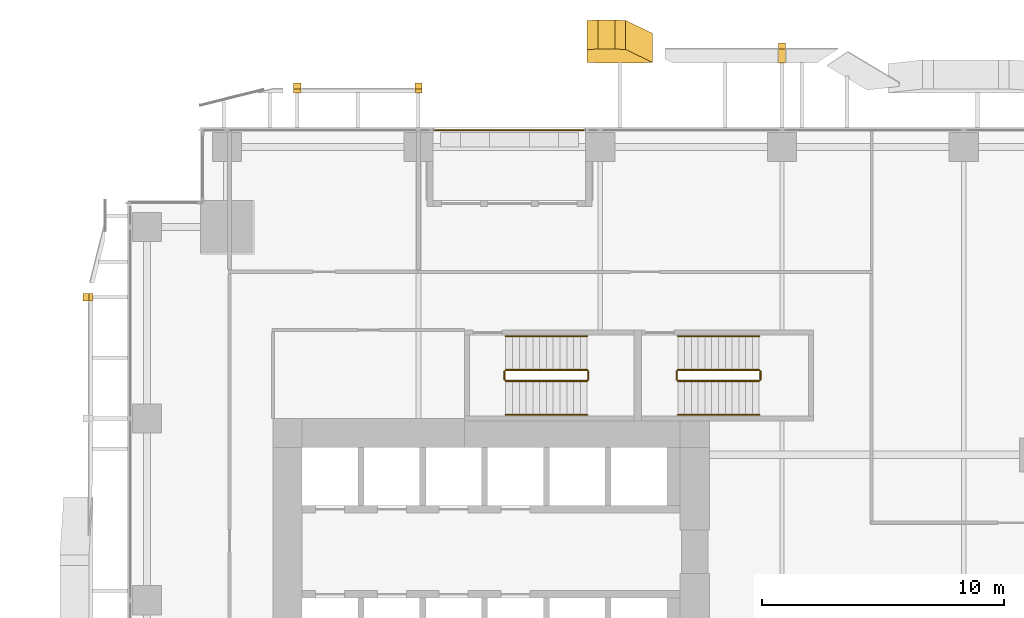
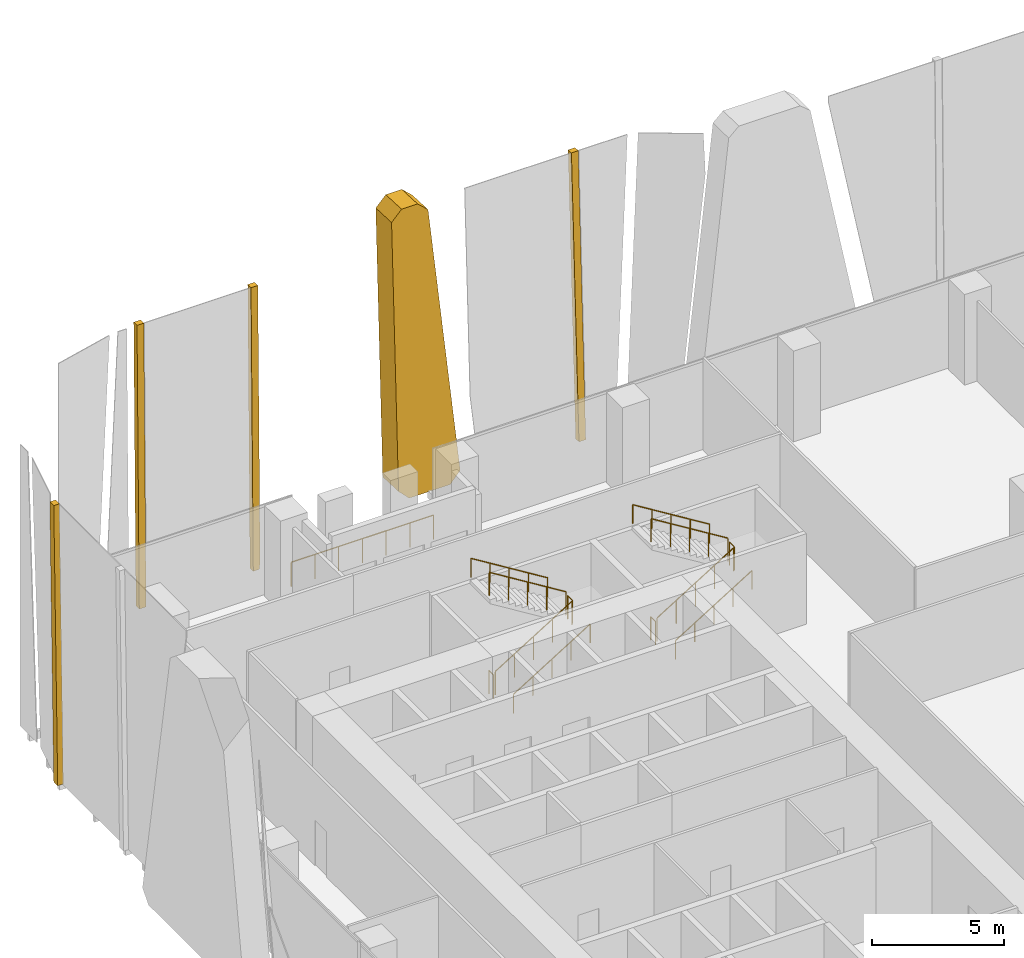
# One storey, part 32 of 34: 13 railings, 5 coverings.
"""IFC4 building model written with IfcOpenShell, lengths in metres."""

from ifc_helpers import new_model, si_unit, direction, frame, origin, origin_2d, place, context, subcontext, project, spatial, polyline, circle, outline, extrude, source, transform, mapped, material, layer, layer_set, type_object, element, save


model = new_model("IFC4")

# Units and contexts
model_context = context("Model", 3, precision=1e-05, world=origin(), true_north=direction((0.0, 1.0)))
body_context = subcontext(model_context, "Body", "Model", "MODEL_VIEW")
ifc_project = project(units=[si_unit("LENGTHUNIT", "METRE"), si_unit("AREAUNIT", "SQUARE_METRE"), si_unit("VOLUMEUNIT", "CUBIC_METRE"), si_unit("PLANEANGLEUNIT", "RADIAN"), si_unit("MASSUNIT", "GRAM", prefix="KILO")], contexts=[model_context])

# Site, building, storey
site_placement = place(None, origin())
site = spatial("IfcSite", under=ifc_project, at=site_placement, CompositionType="ELEMENT")
building_placement = place(site_placement, origin())
building = spatial("IfcBuilding", under=site, at=building_placement, Name="Khomas Fold Tower", CompositionType="ELEMENT")
storey_placement = place(building_placement, frame((0.0, 0.0, 73.5)))
storey = spatial("IfcBuildingStorey", under=building, at=storey_placement, Name="L15", CompositionType="ELEMENT", Elevation=73.5)

# Coverings
ifc_material_1 = material(Name="Natural stone cladding", Category="masonry")
ifc_layer_1 = layer(ifc_material_1, 0.25)
ifc_layer_set_1 = layer_set([ifc_layer_1], Name="Natural stone cladding")
covering_type_1 = type_object("IfcCoveringType", Name="SK-Karibib marble stone mullion", PredefinedType="CLADDING", material=ifc_layer_set_1)
covering_1_placement = place(storey_placement, frame((6.85009765625, 55.43212890625, 0.0), z_axis=(0.0, -0.999913772879, 0.013131900334), x_axis=(0.0, 0.013131900334, 0.999913772879)))
element("IfcCovering", 1, at=covering_1_placement, inside=storey, type_object=covering_type_1, Name="OUTER SKIN mullion L15 NM099-3", PredefinedType="CLADDING", context=body_context, shape_type="SweptSolid", body=[
    extrude(outline(polyline([(0.0, 0.0), (13.051174193298111, 0.0), (13.051174193298111, -0.29980468749999994), (0.0, -0.29980468749999994), (0.0, 0.0)])), origin(), (0.0, 0.0, -1.0), 0.25),
])
covering_2_placement = place(storey_placement, frame((12.107666015625, 55.43212890625, 0.0), z_axis=(-5.1937975e-05, -0.999913769323, 0.013132068384), x_axis=(-0.999999998651, 5.1933496e-05, -6.82053e-07)))
element("IfcCovering", 2, at=covering_2_placement, inside=storey, type_object=covering_type_1, Name="OUTER SKIN mullion L15 NM100-5", PredefinedType="CLADDING", context=body_context, shape_type="SweptSolid", body=[
    extrude(outline(polyline([(0.0, 0.0), (0.25756835902759784, 0.0), (0.2575683589136631, -13.051174193297927), (-0.042236328181967375, -13.051174193297927), (-0.042236329685510846, -0.2998301326854592), (0.0, 0.0)])), origin(), (0.0, 0.0, -1.0), 0.25),
])
covering_3_placement = place(storey_placement, frame((27.14990234375, 57.245361328125, 13.050048828125), z_axis=(0.0, -0.99904235518, 0.043753543365), x_axis=(0.0, -0.043753543365, -0.99904235518)))
element("IfcCovering", 3, at=covering_3_placement, inside=storey, type_object=covering_type_1, Name="OUTER SKIN mullion L15 NM103-7", PredefinedType="CLADDING", context=body_context, shape_type="SweptSolid", body=[
    extrude(outline(polyline([(0.0, 0.0), (13.062558119247587, 0.0), (13.062558119247587, -0.2998046875), (0.0, -0.2998046875), (0.0, 0.0)])), origin(), (0.0, 0.0, -1.0), 0.25),
])
covering_4_placement = place(storey_placement, frame((-1.43212890625, 46.85009765625, 0.0), z_axis=(0.999913772879, 0.0, 0.013131900334), x_axis=(-0.013131900334, 0.0, 0.999913772879)))
element("IfcCovering", 4, at=covering_4_placement, inside=storey, type_object=covering_type_1, Name="OUTER SKIN mullion L15 WM107-14", PredefinedType="CLADDING", context=body_context, shape_type="SweptSolid", body=[
    extrude(outline(polyline([(0.0, 0.0), (13.051174193298111, 0.0), (13.051174193298111, -0.29980468749999994), (0.0, -0.29980468749999994), (0.0, 0.0)])), origin(), (0.0, 0.0, -1.0), 0.25),
])
ifc_material_2 = material(Name="Natural stone cladding", Category="masonry")
ifc_layer_2 = layer(ifc_material_2, 1.199951171875)
ifc_layer_set_2 = layer_set([ifc_layer_2], Name="Natural stone cladding")
covering_type_2 = type_object("IfcCoveringType", Name="SK-Karibib marble stone panel", PredefinedType="CLADDING", material=ifc_layer_set_2)
covering_5_placement = place(storey_placement, frame((18.949951171875, 56.693359375, 0.449951171875), z_axis=(2.3155822e-05, -0.999042486945, 0.043750528473), x_axis=(2.7e-10, 0.043750528485, 0.999042487213)))
element("IfcCovering", 5, at=covering_5_placement, inside=storey, type_object=covering_type_2, Name="OUTER SKIN leaf L15 NS05-1", PredefinedType="CLADDING", context=body_context, shape_type="SweptSolid", body=[
    extrude(outline(polyline([(0.0, 0.0), (12.161797757138737, 1.6940658945086007e-21), (12.612183278925432, -0.4499511732736078), (12.612183279114758, -1.1520996105853647), (12.202361064839915, -1.6000976542877101), (0.040817896137457156, -2.7041015656421923), (-0.45037483977573073, -2.255859378523836), (-0.45037484026267505, -0.44995117588299277), (0.0, 0.0)])), origin(), (0.0, 0.0, -1.0), 1.199951171875),
])

# Railings
ifc_material_3 = material(Name="Powder-coated steel", Category="steel")
railing_type_1 = type_object("IfcRailingType", Name="Balcony guard", PredefinedType="GUARDRAIL", material=ifc_material_3)
shared_shape_1 = source(origin(), body_context, "Body", "SweptSolid", [
    extrude(circle(Radius=0.02490234375, at=origin_2d()), frame((0.0, 0.0, 1.125), z_axis=(1.0, 0.0, 0.0), x_axis=(0.0, 1.0, 0.0)), (0.0, 0.0, 1.0), 6.240234375),
    extrude(circle(Radius=0.02001953125, at=origin_2d()), origin(), (0.0, 0.0, 1.0), 1.099853515625),
    extrude(circle(Radius=0.02001953125, at=origin_2d()), frame((1.0400390625, 0.0, 0.0)), (0.0, 0.0, 1.0), 1.099853515625),
    extrude(circle(Radius=0.02001953125, at=origin_2d()), frame((2.080078125, 0.0, 0.0)), (0.0, 0.0, 1.0), 1.099853515625),
    extrude(circle(Radius=0.02001953125, at=origin_2d()), frame((3.1201171875, 0.0, 0.0)), (0.0, 0.0, 1.0), 1.099853515625),
    extrude(circle(Radius=0.02001953125, at=origin_2d()), frame((4.16015625, 0.0, 0.0)), (0.0, 0.0, 1.0), 1.099853515625),
    extrude(circle(Radius=0.02001953125, at=origin_2d()), frame((5.2001953125, 0.0, 0.0)), (0.0, 0.0, 1.0), 1.099853515625),
    extrude(circle(Radius=0.02001953125, at=origin_2d()), frame((6.240234375, 0.0, 0.0)), (0.0, 0.0, 1.0), 1.099853515625),
])
railing_1_placement = place(storey_placement, frame((12.6298828125, 53.89990234375, -0.044921875)))
element("IfcRailing", 6, at=railing_1_placement, inside=storey, type_object=railing_type_1, Name="Balcony guard BAL-L15-N1", PredefinedType="GUARDRAIL", context=body_context, shape_type="MappedRepresentation", body=[
    mapped(shared_shape_1, transform((0.0, 0.0, 0.0))),
])
ifc_material_4 = material(Name="Steel balustrade", Category="steel")
railing_type_2 = type_object("IfcRailingType", Name="Stair guard", PredefinedType="GUARDRAIL", material=ifc_material_4)
shared_shape_2 = source(origin(), body_context, "Body", "SweptSolid", [
    extrude(circle(Radius=0.02392578125, at=origin_2d()), frame((0.0, 0.0, 1.076171875), z_axis=(0.850606129759, 0.0, 0.525803396734), x_axis=(0.0, 1.0, 0.0)), (0.0, 0.0, 1.0), 3.949951171875),
    extrude(circle(Radius=0.02099609375, at=origin_2d()), origin(), (0.0, 0.0, 1.0), 1.052001953125),
    extrude(circle(Radius=0.02099609375, at=origin_2d()), frame((0.83984375, 0.0, 0.519287109375)), (0.0, 0.0, 1.0), 1.052001953125),
    extrude(circle(Radius=0.02099609375, at=origin_2d()), frame((1.679931640625, 0.0, 1.03857421875)), (0.0, 0.0, 1.0), 1.052001953125),
    extrude(circle(Radius=0.02099609375, at=origin_2d()), frame((2.52001953125, 0.0, 1.5576171875)), (0.0, 0.0, 1.0), 1.052001953125),
    extrude(circle(Radius=0.02099609375, at=origin_2d()), frame((3.35986328125, 0.0, 2.076904296875)), (0.0, 0.0, 1.0), 1.052001953125),
])
railing_2_placement = place(storey_placement, frame((15.60009765625, 43.550048828125, 0.173095703125)))
element("IfcRailing", 7, at=railing_2_placement, inside=storey, type_object=railing_type_2, Name="L15 ST1 stair guard 1", PredefinedType="GUARDRAIL", context=body_context, shape_type="MappedRepresentation", body=[
    mapped(shared_shape_2, transform((0.0, 0.0, 0.0))),
])
shared_shape_3 = source(origin(), body_context, "Body", "SweptSolid", [
    extrude(circle(Radius=0.02392578125, at=origin_2d()), frame((0.0, 0.0, 1.076171875), z_axis=(0.0, 1.0, 0.0), x_axis=(-1.0, 0.0, 0.0)), (0.0, 0.0, 1.0), 0.349853515625),
    extrude(circle(Radius=0.02099609375, at=origin_2d()), origin(), (0.0, 0.0, 1.0), 1.052001953125),
    extrude(circle(Radius=0.02099609375, at=origin_2d()), frame((0.0, 0.349853515625, 0.0)), (0.0, 0.0, 1.0), 1.052001953125),
])
for number, where, name in (
    (8, (19.010009765625, 43.60009765625, 2.25), "L15 ST1 stair guard 2"),
    (9, (15.550048828125, 43.60009765625, 0.0), "L15 ST1 stair guard 4"),
    (10, (26.110107421875, 43.60009765625, 2.25), "L15 ST3 stair guard 2"),
    (11, (22.64990234375, 43.60009765625, 0.0), "L15 ST3 stair guard 4"),
):
    element("IfcRailing", number, at=place(storey_placement, frame(where)), inside=storey, type_object=railing_type_2, Name=name, PredefinedType="GUARDRAIL", context=body_context, shape_type="MappedRepresentation", body=[
        mapped(shared_shape_3, transform((0.0, 0.0, 0.0))),
    ])
shared_shape_4 = source(origin(), body_context, "Body", "SweptSolid", [
    extrude(circle(Radius=0.02392578125, at=origin_2d()), frame((0.0, 0.0, 1.076171875), z_axis=(-0.850606129759, 0.0, 0.525803396734), x_axis=(0.0, -1.0, 0.0)), (0.0, 0.0, 1.0), 3.949951171875),
    extrude(circle(Radius=0.02099609375, at=origin_2d()), origin(), (0.0, 0.0, 1.0), 1.052001953125),
    extrude(circle(Radius=0.02099609375, at=origin_2d()), frame((-0.83984375, 0.0, 0.519287109375)), (0.0, 0.0, 1.0), 1.052001953125),
    extrude(circle(Radius=0.02099609375, at=origin_2d()), frame((-1.679931640625, 0.0, 1.03857421875)), (0.0, 0.0, 1.0), 1.052001953125),
    extrude(circle(Radius=0.02099609375, at=origin_2d()), frame((-2.52001953125, 0.0, 1.5576171875)), (0.0, 0.0, 1.0), 1.052001953125),
    extrude(circle(Radius=0.02099609375, at=origin_2d()), frame((-3.35986328125, 0.0, 2.076904296875)), (0.0, 0.0, 1.0), 1.052001953125),
])
railing_3_placement = place(storey_placement, frame((18.9599609375, 44.0, 2.423095703125)))
element("IfcRailing", 12, at=railing_3_placement, inside=storey, type_object=railing_type_2, Name="L15 ST1 stair guard 3", PredefinedType="GUARDRAIL", context=body_context, shape_type="MappedRepresentation", body=[
    mapped(shared_shape_4, transform((0.0, 0.0, 0.0))),
])
ifc_material_5 = material(Name="Steel handrail", Category="steel")
railing_type_3 = type_object("IfcRailingType", Name="Stair handrail", PredefinedType="HANDRAIL", material=ifc_material_5)
shared_shape_5 = source(origin(), body_context, "Body", "SweptSolid", [
    extrude(circle(Radius=0.02392578125, at=origin_2d()), frame((0.0, 0.0, 0.8759765625), z_axis=(0.850606129759, 0.0, 0.525803396734), x_axis=(0.0, 1.0, 0.0)), (0.0, 0.0, 1.0), 3.949951171875),
    extrude(circle(Radius=0.02099609375, at=origin_2d()), origin(), (0.0, 0.0, 1.0), 0.851806640625),
    extrude(circle(Radius=0.02099609375, at=origin_2d()), frame((0.83984375, 0.0, 0.519287109375)), (0.0, 0.0, 1.0), 0.851806640625),
    extrude(circle(Radius=0.02099609375, at=origin_2d()), frame((1.679931640625, 0.0, 1.03857421875)), (0.0, 0.0, 1.0), 0.851806640625),
    extrude(circle(Radius=0.02099609375, at=origin_2d()), frame((2.52001953125, 0.0, 1.5576171875)), (0.0, 0.0, 1.0), 0.851806640625),
    extrude(circle(Radius=0.02099609375, at=origin_2d()), frame((3.35986328125, 0.0, 2.076904296875)), (0.0, 0.0, 1.0), 0.851806640625),
])
railing_4_placement = place(storey_placement, frame((15.60009765625, 42.14990234375, 0.173095703125)))
element("IfcRailing", 13, at=railing_4_placement, inside=storey, type_object=railing_type_3, Name="L15 ST1 stair handrail 1", PredefinedType="HANDRAIL", context=body_context, shape_type="MappedRepresentation", body=[
    mapped(shared_shape_5, transform((0.0, 0.0, 0.0))),
])
shared_shape_6 = source(origin(), body_context, "Body", "SweptSolid", [
    extrude(circle(Radius=0.02392578125, at=origin_2d()), frame((0.0, 0.0, 0.8759765625), z_axis=(-0.850606129759, 0.0, 0.525803396734), x_axis=(0.0, -1.0, 0.0)), (0.0, 0.0, 1.0), 3.949951171875),
    extrude(circle(Radius=0.02099609375, at=origin_2d()), origin(), (0.0, 0.0, 1.0), 0.851806640625),
    extrude(circle(Radius=0.02099609375, at=origin_2d()), frame((-0.83984375, 0.0, 0.519287109375)), (0.0, 0.0, 1.0), 0.851806640625),
    extrude(circle(Radius=0.02099609375, at=origin_2d()), frame((-1.679931640625, 0.0, 1.03857421875)), (0.0, 0.0, 1.0), 0.851806640625),
    extrude(circle(Radius=0.02099609375, at=origin_2d()), frame((-2.52001953125, 0.0, 1.5576171875)), (0.0, 0.0, 1.0), 0.851806640625),
    extrude(circle(Radius=0.02099609375, at=origin_2d()), frame((-3.35986328125, 0.0, 2.076904296875)), (0.0, 0.0, 1.0), 0.851806640625),
])
railing_5_placement = place(storey_placement, frame((18.9599609375, 45.39990234375, 2.423095703125)))
element("IfcRailing", 14, at=railing_5_placement, inside=storey, type_object=railing_type_3, Name="L15 ST1 stair handrail 2", PredefinedType="HANDRAIL", context=body_context, shape_type="MappedRepresentation", body=[
    mapped(shared_shape_6, transform((0.0, 0.0, 0.0))),
])
shared_shape_7 = source(origin(), body_context, "Body", "SweptSolid", [
    extrude(circle(Radius=0.02392578125, at=origin_2d()), frame((0.0, 0.0, 1.076171875), z_axis=(0.850623216509, 0.0, 0.525775754039), x_axis=(0.0, 1.0, 0.0)), (0.0, 0.0, 1.0), 3.9501953125),
    extrude(circle(Radius=0.02099609375, at=origin_2d()), origin(), (0.0, 0.0, 1.0), 1.052001953125),
    extrude(circle(Radius=0.02099609375, at=origin_2d()), frame((0.840087890625, 0.0, 0.519287109375)), (0.0, 0.0, 1.0), 1.052001953125),
    extrude(circle(Radius=0.02099609375, at=origin_2d()), frame((1.68017578125, 0.0, 1.03857421875)), (0.0, 0.0, 1.0), 1.052001953125),
    extrude(circle(Radius=0.02099609375, at=origin_2d()), frame((2.52001953125, 0.0, 1.5576171875)), (0.0, 0.0, 1.0), 1.052001953125),
    extrude(circle(Radius=0.02099609375, at=origin_2d()), frame((3.360107421875, 0.0, 2.076904296875)), (0.0, 0.0, 1.0), 1.052001953125),
])
railing_6_placement = place(storey_placement, frame((22.699951171875, 43.550048828125, 0.173095703125)))
element("IfcRailing", 15, at=railing_6_placement, inside=storey, type_object=railing_type_2, Name="L15 ST3 stair guard 1", PredefinedType="GUARDRAIL", context=body_context, shape_type="MappedRepresentation", body=[
    mapped(shared_shape_7, transform((0.0, 0.0, 0.0))),
])
shared_shape_8 = source(origin(), body_context, "Body", "SweptSolid", [
    extrude(circle(Radius=0.02392578125, at=origin_2d()), frame((0.0, 0.0, 1.076171875), z_axis=(-0.850623216509, 0.0, 0.525775754039), x_axis=(0.0, -1.0, 0.0)), (0.0, 0.0, 1.0), 3.9501953125),
    extrude(circle(Radius=0.02099609375, at=origin_2d()), origin(), (0.0, 0.0, 1.0), 1.052001953125),
    extrude(circle(Radius=0.02099609375, at=origin_2d()), frame((-0.840087890625, 0.0, 0.519287109375)), (0.0, 0.0, 1.0), 1.052001953125),
    extrude(circle(Radius=0.02099609375, at=origin_2d()), frame((-1.68017578125, 0.0, 1.03857421875)), (0.0, 0.0, 1.0), 1.052001953125),
    extrude(circle(Radius=0.02099609375, at=origin_2d()), frame((-2.52001953125, 0.0, 1.5576171875)), (0.0, 0.0, 1.0), 1.052001953125),
    extrude(circle(Radius=0.02099609375, at=origin_2d()), frame((-3.360107421875, 0.0, 2.076904296875)), (0.0, 0.0, 1.0), 1.052001953125),
])
railing_7_placement = place(storey_placement, frame((26.06005859375, 44.0, 2.423095703125)))
element("IfcRailing", 16, at=railing_7_placement, inside=storey, type_object=railing_type_2, Name="L15 ST3 stair guard 3", PredefinedType="GUARDRAIL", context=body_context, shape_type="MappedRepresentation", body=[
    mapped(shared_shape_8, transform((0.0, 0.0, 0.0))),
])
shared_shape_9 = source(origin(), body_context, "Body", "SweptSolid", [
    extrude(circle(Radius=0.02392578125, at=origin_2d()), frame((0.0, 0.0, 0.8759765625), z_axis=(0.850623216509, 0.0, 0.525775754039), x_axis=(0.0, 1.0, 0.0)), (0.0, 0.0, 1.0), 3.9501953125),
    extrude(circle(Radius=0.02099609375, at=origin_2d()), origin(), (0.0, 0.0, 1.0), 0.851806640625),
    extrude(circle(Radius=0.02099609375, at=origin_2d()), frame((0.840087890625, 0.0, 0.519287109375)), (0.0, 0.0, 1.0), 0.851806640625),
    extrude(circle(Radius=0.02099609375, at=origin_2d()), frame((1.68017578125, 0.0, 1.03857421875)), (0.0, 0.0, 1.0), 0.851806640625),
    extrude(circle(Radius=0.02099609375, at=origin_2d()), frame((2.52001953125, 0.0, 1.5576171875)), (0.0, 0.0, 1.0), 0.851806640625),
    extrude(circle(Radius=0.02099609375, at=origin_2d()), frame((3.360107421875, 0.0, 2.076904296875)), (0.0, 0.0, 1.0), 0.851806640625),
])
railing_8_placement = place(storey_placement, frame((22.699951171875, 42.14990234375, 0.173095703125)))
element("IfcRailing", 17, at=railing_8_placement, inside=storey, type_object=railing_type_3, Name="L15 ST3 stair handrail 1", PredefinedType="HANDRAIL", context=body_context, shape_type="MappedRepresentation", body=[
    mapped(shared_shape_9, transform((0.0, 0.0, 0.0))),
])
shared_shape_10 = source(origin(), body_context, "Body", "SweptSolid", [
    extrude(circle(Radius=0.02392578125, at=origin_2d()), frame((0.0, 0.0, 0.8759765625), z_axis=(-0.850623216509, 0.0, 0.525775754039), x_axis=(0.0, -1.0, 0.0)), (0.0, 0.0, 1.0), 3.9501953125),
    extrude(circle(Radius=0.02099609375, at=origin_2d()), origin(), (0.0, 0.0, 1.0), 0.851806640625),
    extrude(circle(Radius=0.02099609375, at=origin_2d()), frame((-0.840087890625, 0.0, 0.519287109375)), (0.0, 0.0, 1.0), 0.851806640625),
    extrude(circle(Radius=0.02099609375, at=origin_2d()), frame((-1.68017578125, 0.0, 1.03857421875)), (0.0, 0.0, 1.0), 0.851806640625),
    extrude(circle(Radius=0.02099609375, at=origin_2d()), frame((-2.52001953125, 0.0, 1.5576171875)), (0.0, 0.0, 1.0), 0.851806640625),
    extrude(circle(Radius=0.02099609375, at=origin_2d()), frame((-3.360107421875, 0.0, 2.076904296875)), (0.0, 0.0, 1.0), 0.851806640625),
])
railing_9_placement = place(storey_placement, frame((26.06005859375, 45.39990234375, 2.423095703125)))
element("IfcRailing", 18, at=railing_9_placement, inside=storey, type_object=railing_type_3, Name="L15 ST3 stair handrail 2", PredefinedType="HANDRAIL", context=body_context, shape_type="MappedRepresentation", body=[
    mapped(shared_shape_10, transform((0.0, 0.0, 0.0))),
])

save(model, "model.ifc")
